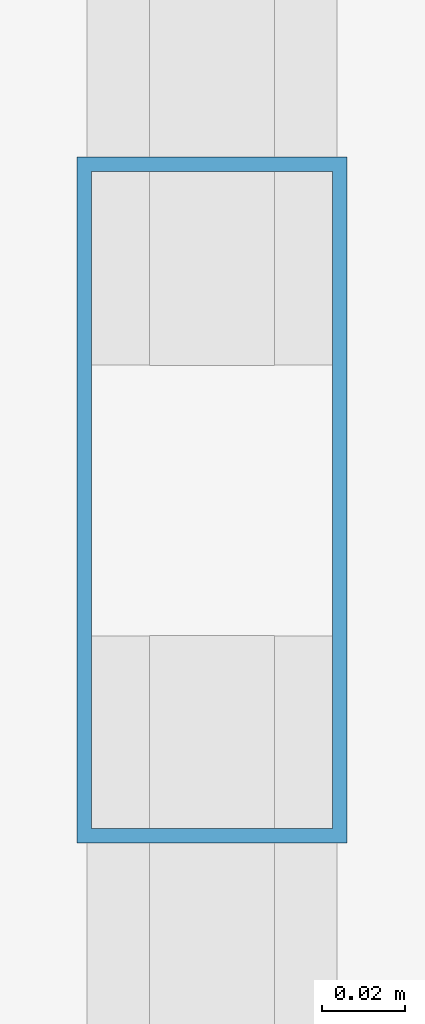
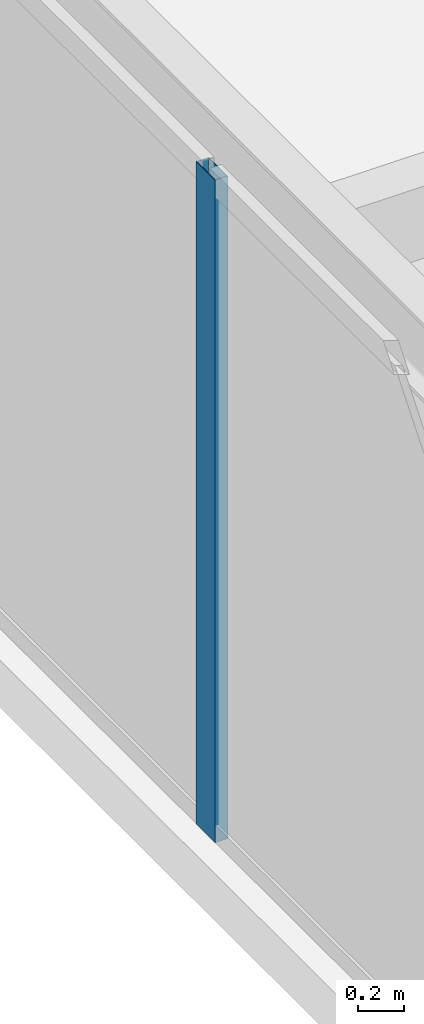
# One storey, part 7 of 29: 1 member, 1 element without a shape of its own.
"""IFC4 building model written with IfcOpenShell, lengths in metres."""

from ifc_helpers import new_model, si_unit, direction, frame, origin, origin_2d, place, context, subcontext, project, spatial, hollow_rectangle, extrude, source, transform, mapped, material, layer, layer_set, material_profile, profile_set, type_object, type_shapes, element, aggregate, save


model = new_model("IFC4")

# Units and contexts
model_context = context("Model", 3, precision=1e-05, world=origin(), true_north=direction((0.0, 1.0)))
body_context = subcontext(model_context, "Body", "Model", "MODEL_VIEW")
ifc_project = project(units=[si_unit("LENGTHUNIT", "METRE"), si_unit("AREAUNIT", "SQUARE_METRE"), si_unit("VOLUMEUNIT", "CUBIC_METRE"), si_unit("PLANEANGLEUNIT", "RADIAN"), si_unit("MASSUNIT", "GRAM", prefix="KILO")], contexts=[model_context])

# Site, building, storey
site_placement = place(None, origin())
site = spatial("IfcSite", under=ifc_project, at=site_placement, CompositionType="ELEMENT")
building_placement = place(site_placement, origin())
building = spatial("IfcBuilding", under=site, at=building_placement, Name="Varnel Quay Broadcast Tower", CompositionType="ELEMENT")
storey_placement = place(building_placement, frame((0.0, 0.0, 187.60009765625)))
storey = spatial("IfcBuildingStorey", under=building, at=storey_placement, Name="L46", CompositionType="ELEMENT", Elevation=187.60009765625)

# Curtain wall, member
ifc_material = material(Name="Anodised Bronze Aluminium 6063-T6", Category="aluminium")
ifc_layer = layer(ifc_material, 0.18994140625, Name="Anodised Bronze Aluminium 6063-T6")
ifc_layer_set = layer_set([ifc_layer], Name="Anodised Bronze Aluminium 6063-T6")
curtain_wall_type = type_object("IfcCurtainWallType", Name="CW_UpperTower", PredefinedType="NOTDEFINED", material=ifc_layer_set)
curtain_wall_placement = place(storey_placement, origin())
curtain_wall = element("IfcCurtainWall", 1, at=curtain_wall_placement, inside=storey, type_object=curtain_wall_type, Name="L46 West Unitised Curtain Wall", PredefinedType="NOTDEFINED")
ifc_material_profile = material_profile(ifc_material, hollow_rectangle(XDim=0.06494140625, YDim=0.1650390625, WallThickness=0.00341796875, at=origin_2d()), Name="ALU65X165X3.5")
ifc_profile_set = profile_set([ifc_material_profile], Name="Anodised Bronze Aluminium 6063-T6")
member_type = type_object("IfcMemberType", Name="Mull_CWS-03", PredefinedType="MULLION", material=ifc_profile_set)
shared_shape = source(origin(), body_context, "Body", "SweptSolid", [
    extrude(hollow_rectangle(XDim=0.06494140625, YDim=0.1650390625, WallThickness=0.00341796875, at=origin_2d()), origin(), (0.0, 0.0, 1.0), 3.52001953125),
])
type_shapes(member_type, [shared_shape])
member_placement = place(storey_placement, frame((7.14990234375, 21.60009765625, 0.0), z_axis=(0.0, 0.0, 1.0), x_axis=(-1.0, 0.0, 0.0)))
member = element("IfcMember", 2, at=member_placement, type_object=member_type, Name="CWS-03 mullion 2", PredefinedType="MULLION", context=body_context, shape_type="MappedRepresentation", body=[
    mapped(shared_shape, transform((0.0, 0.0, 0.0), x_axis=(1.0, 0.0, 0.0), y_axis=(0.0, 1.0, 0.0), z_axis=(0.0, 0.0, 1.0), scale=1.0)),
])
aggregate(curtain_wall, [member])

save(model, "model.ifc")
